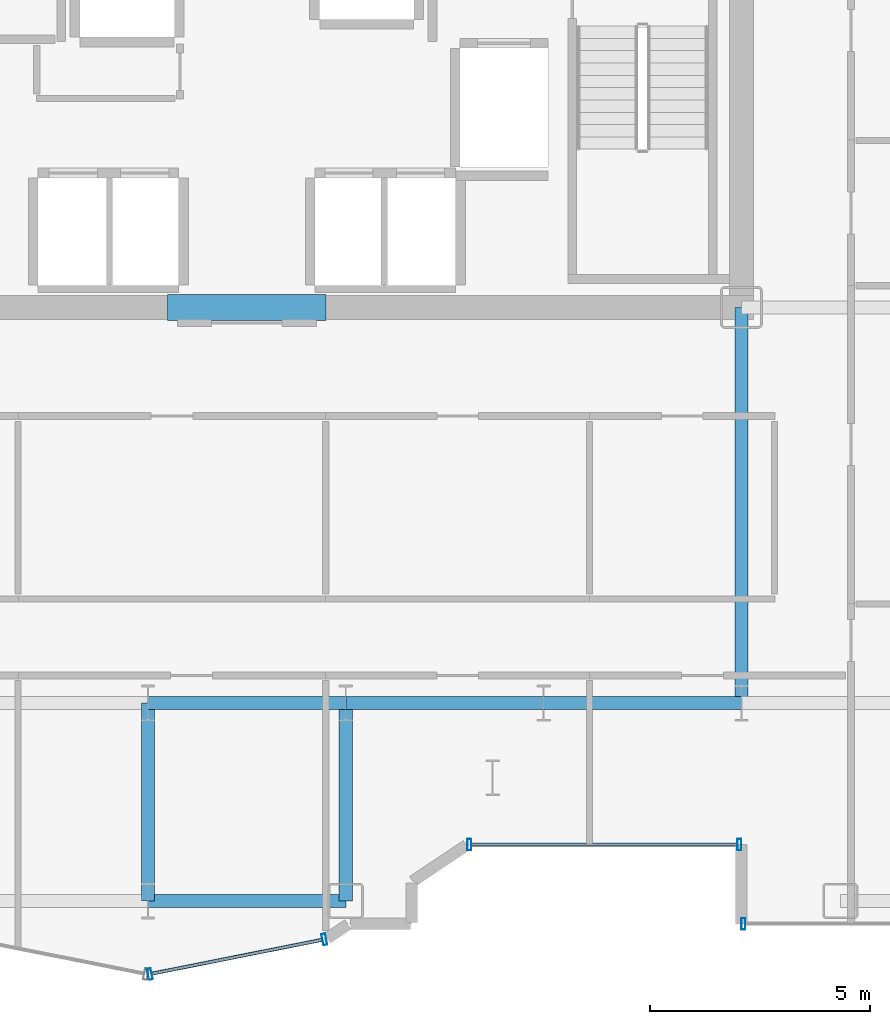
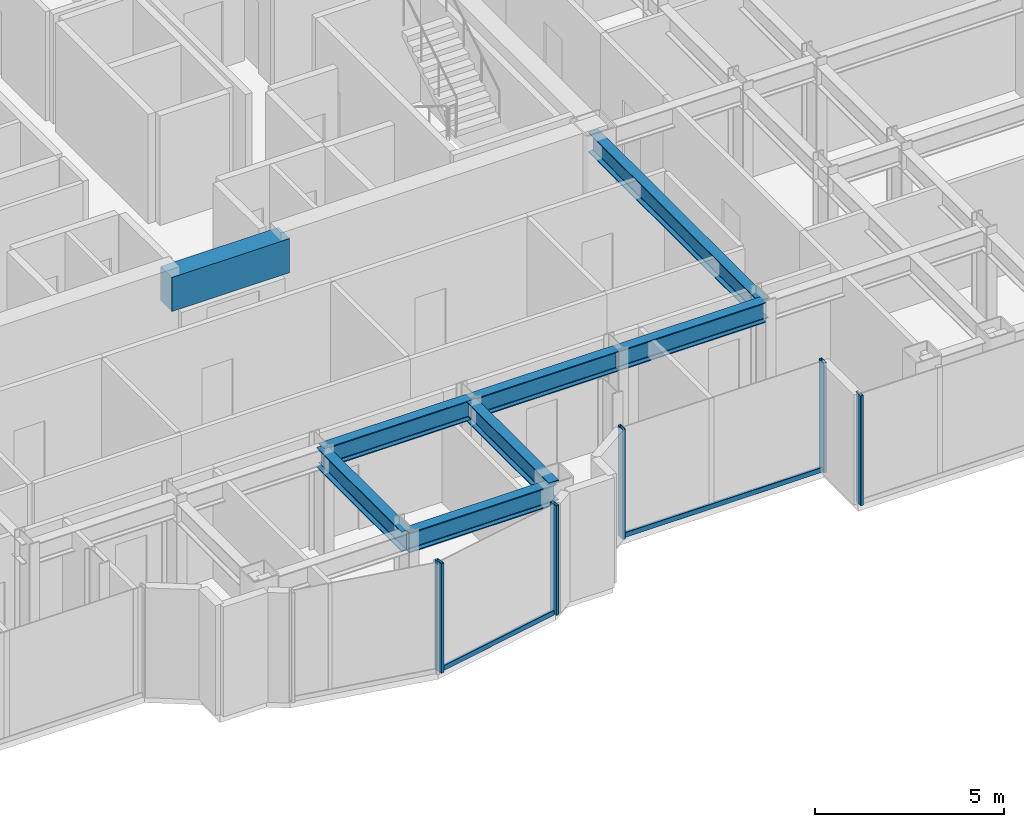
# One storey, part 7 of 23: 8 beams, 7 members, 3 elements without a shape of their own.
"""IFC4 building model written with IfcOpenShell, lengths in metres."""

from ifc_helpers import new_model, si_unit, direction, frame, origin, origin_2d, place, context, subcontext, project, spatial, rectangle, hollow_rectangle, i_section, extrude, source, transform, mapped, material, layer, layer_set, material_profile, profile_set, type_object, element, aggregate, save


model = new_model("IFC4")

# Units and contexts
model_context = context("Model", 3, precision=1e-05, world=origin(), true_north=direction((0.0, 1.0)))
body_context = subcontext(model_context, "Body", "Model", "MODEL_VIEW")
ifc_project = project(units=[si_unit("LENGTHUNIT", "METRE"), si_unit("AREAUNIT", "SQUARE_METRE"), si_unit("VOLUMEUNIT", "CUBIC_METRE"), si_unit("PLANEANGLEUNIT", "RADIAN"), si_unit("MASSUNIT", "GRAM", prefix="KILO")], contexts=[model_context])

# Site, building, storey
site_placement = place(None, origin())
site = spatial("IfcSite", under=ifc_project, at=site_placement, CompositionType="ELEMENT")
building_placement = place(site_placement, origin())
building = spatial("IfcBuilding", under=site, at=building_placement, Name="Nefas-Gora Pilgrimage Tower", CompositionType="ELEMENT")
storey_placement = place(building_placement, frame((0.0, 0.0, 175.39990234375)))
storey = spatial("IfcBuildingStorey", under=building, at=storey_placement, Name="L43", CompositionType="ELEMENT", Elevation=175.39990234375)

# Beams
ifc_material_1 = material(Name="Concrete C60/75", Category="concrete")
ifc_material_profile_1 = material_profile(ifc_material_1, rectangle(XDim=0.60009765625, YDim=1.10009765625, at=origin_2d()), Name="RC 600x1100")
ifc_profile_set_1 = profile_set([ifc_material_profile_1], Name="Concrete C60/75")
beam_type_1 = type_object("IfcBeamType", Name="BM-LIN-RC1100", PredefinedType="LINTEL", material=ifc_profile_set_1)
shared_shape_1 = source(origin(), body_context, "Body", "SweptSolid", [
    extrude(rectangle(XDim=0.60009765625, YDim=1.10009765625, at=origin_2d()), origin(), (0.0, 0.0, 1.0), 3.60009765625),
])
beam_1_placement = place(storey_placement, frame((-1.800048828125, -9.0, 3.0), z_axis=(1.0, 0.0, 0.0), x_axis=(0.0, 1.0, 0.0)))
element("IfcBeam", 1, at=beam_1_placement, inside=storey, type_object=beam_type_1, Name="L43 Core Coupling Lintel Beam S", PredefinedType="LINTEL", context=body_context, shape_type="MappedRepresentation", body=[
    mapped(shared_shape_1, transform((0.0, 0.0, 0.0), x_axis=(1.0, 0.0, 0.0), y_axis=(0.0, 1.0, 0.0), z_axis=(0.0, 0.0, 1.0), scale=1.0)),
])
ifc_material_2 = material(Name="Steel S355", Category="steel")
ifc_material_profile_2 = material_profile(ifc_material_2, i_section(OverallWidth=0.300048828125, OverallDepth=0.64990234375, WebThickness=0.01611328125, FlangeThickness=0.031005859375, FilletRadius=0.027099609375, at=origin_2d()), Name="HEB 650")
ifc_profile_set_2 = profile_set([ifc_material_profile_2], Name="Steel S355")
beam_type_2 = type_object("IfcBeamType", Name="BM-GIR-HEB650", PredefinedType="BEAM", material=ifc_profile_set_2)
shared_shape_2 = source(origin(), body_context, "Body", "SweptSolid", [
    extrude(i_section(OverallWidth=0.300048828125, OverallDepth=0.64990234375, WebThickness=0.01611328125, FlangeThickness=0.031005859375, FilletRadius=0.027099609375, at=origin_2d()), origin(), (0.0, 0.0, 1.0), 9.0),
])
beam_2_placement = place(storey_placement, frame((11.25, -18.0, 3.22509765625), z_axis=(0.0, 1.0, 0.0), x_axis=(-1.0, 0.0, 0.0)))
element("IfcBeam", 2, at=beam_2_placement, inside=storey, type_object=beam_type_2, Name="L43 G-03 beam", PredefinedType="BEAM", context=body_context, shape_type="MappedRepresentation", body=[
    mapped(shared_shape_2, transform((0.0, 0.0, 0.0), x_axis=(1.0, 0.0, 0.0), y_axis=(0.0, 1.0, 0.0), z_axis=(0.0, 0.0, 1.0), scale=1.0)),
])
shared_shape_3 = source(origin(), body_context, "Body", "SweptSolid", [
    extrude(i_section(OverallWidth=0.300048828125, OverallDepth=0.64990234375, WebThickness=0.01611328125, FlangeThickness=0.031005859375, FilletRadius=0.027099609375, at=origin_2d()), origin(), (0.0, 0.0, 1.0), 4.5),
])
for number, where, z_axis, x_axis, name in (
    (3, (-2.25, -22.5, 3.22509765625), (0.0, 1.0, 0.0), (-1.0, 0.0, 0.0), "L43 G-03 beam"),
    (4, (-2.25, -22.5, 3.22509765625), (1.0, 0.0, 0.0), (0.0, 1.0, 0.0), "L43 G-03 beam"),
    (5, (-2.25, -18.0, 3.22509765625), (1.0, 0.0, 0.0), (0.0, 1.0, 0.0), "L43 G-03 beam"),
    (6, (2.25, -22.5, 3.22509765625), (0.0, 1.0, 0.0), (-1.0, 0.0, 0.0), "L43 G-03 beam"),
    (7, (2.25, -18.0, 3.22509765625), (1.0, 0.0, 0.0), (0.0, 1.0, 0.0), "L43 G-03 beam"),
    (8, (6.75, -18.0, 3.22509765625), (1.0, 0.0, 0.0), (0.0, 1.0, 0.0), "L43 G-03 beam"),
):
    element("IfcBeam", number, at=place(storey_placement, frame(where, z_axis=z_axis, x_axis=x_axis)), inside=storey, type_object=beam_type_2, Name=name, PredefinedType="BEAM", context=body_context, shape_type="MappedRepresentation", body=[
        mapped(shared_shape_3, transform((0.0, 0.0, 0.0), x_axis=(1.0, 0.0, 0.0), y_axis=(0.0, 1.0, 0.0), z_axis=(0.0, 0.0, 1.0), scale=1.0)),
    ])

# Curtain wall, members
ifc_material_3 = material(Name="Dark ceramic-fritted solar-control aluminium-glass curtain wall", Category="aluminium")
ifc_layer_1 = layer(ifc_material_3, 0.219970703125)
ifc_layer_set_1 = layer_set([ifc_layer_1], Name="Dark ceramic-fritted solar-control aluminium-glass curtain wall")
curtain_wall_type_1 = type_object("IfcCurtainWallType", Name="CW-SYS-5", PredefinedType="NOTDEFINED", material=ifc_layer_set_1)
curtain_wall_1_placement = place(storey_placement, origin())
curtain_wall_1 = element("IfcCurtainWall", 9, at=curtain_wall_1_placement, inside=storey, type_object=curtain_wall_type_1, Name="L43 Unitised Curtain Wall CW5", PredefinedType="NOTDEFINED")
ifc_material_4 = material(Name="Anodised architectural aluminium", Category="aluminium")
ifc_material_profile_3 = material_profile(ifc_material_4, hollow_rectangle(XDim=0.090087890625, YDim=0.260009765625, WallThickness=0.006103515625, InnerFilletRadius=0.006103515625, OuterFilletRadius=0.011962890625, at=origin_2d()), Name="ALU MULLION 90x260")
ifc_profile_set_3 = profile_set([ifc_material_profile_3], Name="Anodised architectural aluminium")
member_type_1 = type_object("IfcMemberType", Name="CWM-MUL-5", PredefinedType="MULLION", material=ifc_profile_set_3)
shared_shape_4 = source(origin(), body_context, "Body", "SweptSolid", [
    extrude(hollow_rectangle(XDim=0.090087890625, YDim=0.260009765625, WallThickness=0.006103515625, InnerFilletRadius=0.006103515625, OuterFilletRadius=0.011962890625, at=origin_2d()), origin(), (0.0, 0.0, 1.0), 3.550048828125),
])
member_1_placement = place(storey_placement, frame((5.06298828125, -21.219970703125, 0.0), z_axis=(0.0, 0.0, 1.0), x_axis=(1.0, 0.0, 0.0)))
member_1 = element("IfcMember", 10, at=member_1_placement, type_object=member_type_1, Name="CW5 Mullion 1", PredefinedType="MULLION", context=body_context, shape_type="MappedRepresentation", body=[
    mapped(shared_shape_4, transform((0.0, 0.0, 0.0), x_axis=(1.0, 0.0, 0.0), y_axis=(0.0, 1.0, 0.0), z_axis=(0.0, 0.0, 1.0), scale=1.0)),
])
member_2_placement = place(storey_placement, frame((11.205078125, -21.219970703125, 0.0), z_axis=(0.0, 0.0, 1.0), x_axis=(1.0, 0.0, 0.0)))
member_2 = element("IfcMember", 11, at=member_2_placement, type_object=member_type_1, Name="CW5 Mullion 2", PredefinedType="MULLION", context=body_context, shape_type="MappedRepresentation", body=[
    mapped(shared_shape_4, transform((0.0, 0.0, 0.0), x_axis=(1.0, 0.0, 0.0), y_axis=(0.0, 1.0, 0.0), z_axis=(0.0, 0.0, 1.0), scale=1.0)),
])

curtain_wall_2_placement = place(storey_placement, origin())
curtain_wall_2 = element("IfcCurtainWall", 12, at=curtain_wall_2_placement, inside=storey, type_object=curtain_wall_type_1, Name="L43 Unitised Curtain Wall CW5", PredefinedType="NOTDEFINED")
member_3_placement = place(storey_placement, frame((-2.205810546875, -24.16357421875, 0.0), z_axis=(0.0, 0.0, 1.0), x_axis=(0.980782896852, 0.195102304554, 0.0)))
member_3 = element("IfcMember", 13, at=member_3_placement, type_object=member_type_1, Name="CW5 Mullion 1", PredefinedType="MULLION", context=body_context, shape_type="MappedRepresentation", body=[
    mapped(shared_shape_4, transform((0.0, 0.0, 0.0), x_axis=(1.0, 0.0, 0.0), y_axis=(0.0, 1.0, 0.0), z_axis=(0.0, 0.0, 1.0), scale=1.0)),
])
member_4_placement = place(storey_placement, frame((1.76318359375, -23.3740234375, 0.0), z_axis=(0.0, 0.0, 1.0), x_axis=(0.980782896852, 0.195102304554, 0.0)))
member_4 = element("IfcMember", 14, at=member_4_placement, type_object=member_type_1, Name="CW5 Mullion 2", PredefinedType="MULLION", context=body_context, shape_type="MappedRepresentation", body=[
    mapped(shared_shape_4, transform((0.0, 0.0, 0.0), x_axis=(1.0, 0.0, 0.0), y_axis=(0.0, 1.0, 0.0), z_axis=(0.0, 0.0, 1.0), scale=1.0)),
])

# Member
ifc_material_profile_4 = material_profile(ifc_material_4, hollow_rectangle(XDim=0.080078125, YDim=0.159912109375, WallThickness=0.00439453125, InnerFilletRadius=0.00439453125, OuterFilletRadius=0.009033203125, at=origin_2d()), Name="ALU TRANSOM 80x160")
ifc_profile_set_4 = profile_set([ifc_material_profile_4], Name="Anodised architectural aluminium")
member_type_2 = type_object("IfcMemberType", Name="CWM-TRN-5", PredefinedType="USERDEFINED", material=ifc_profile_set_4)
shared_shape_5 = source(origin(), body_context, "Body", "SweptSolid", [
    extrude(hollow_rectangle(XDim=0.080078125, YDim=0.159912109375, WallThickness=0.00439453125, InnerFilletRadius=0.00439453125, OuterFilletRadius=0.009033203125, at=origin_2d()), origin(), (0.0, 0.0, 1.0), 6.052001953125),
])
member_5_placement = place(storey_placement, frame((5.10791015625, -21.219970703125, 0.050048828125), z_axis=(1.0, 0.0, 0.0), x_axis=(0.0, 1.0, 0.0)))
member_5 = element("IfcMember", 15, at=member_5_placement, type_object=member_type_2, Name="CW5 Spandrel Transom", ObjectType="TRANSOM", PredefinedType="USERDEFINED", context=body_context, shape_type="MappedRepresentation", body=[
    mapped(shared_shape_5, transform((0.0, 0.0, 0.0), x_axis=(1.0, 0.0, 0.0), y_axis=(0.0, 1.0, 0.0), z_axis=(0.0, 0.0, 1.0), scale=1.0)),
])

aggregate(curtain_wall_1, [member_1, member_2, member_5])

shared_shape_6 = source(origin(), body_context, "Body", "SweptSolid", [
    extrude(hollow_rectangle(XDim=0.080078125, YDim=0.159912109375, WallThickness=0.00439453125, InnerFilletRadius=0.00439453125, OuterFilletRadius=0.009033203125, at=origin_2d()), origin(), (0.0, 0.0, 1.0), 3.95654296875),
])
member_6_placement = place(storey_placement, frame((-2.16162109375, -24.15478515625, 0.050048828125), z_axis=(0.980781880918, 0.195107411605, 0.0), x_axis=(-0.195107411605, 0.980781880918, 0.0)))
member_6 = element("IfcMember", 16, at=member_6_placement, type_object=member_type_2, Name="CW5 Spandrel Transom", ObjectType="TRANSOM", PredefinedType="USERDEFINED", context=body_context, shape_type="MappedRepresentation", body=[
    mapped(shared_shape_6, transform((0.0, 0.0, 0.0), x_axis=(1.0, 0.0, 0.0), y_axis=(0.0, 1.0, 0.0), z_axis=(0.0, 0.0, 1.0), scale=1.0)),
])

aggregate(curtain_wall_2, [member_3, member_4, member_6])

# Curtain wall, member
ifc_layer_2 = layer(ifc_material_3, 0.219970703125)
ifc_layer_set_2 = layer_set([ifc_layer_2], Name="Dark ceramic-fritted solar-control aluminium-glass curtain wall")
curtain_wall_type_2 = type_object("IfcCurtainWallType", Name="CW-SYS-3", PredefinedType="NOTDEFINED", material=ifc_layer_set_2)
curtain_wall_3_placement = place(storey_placement, origin())
curtain_wall_3 = element("IfcCurtainWall", 17, at=curtain_wall_3_placement, inside=storey, type_object=curtain_wall_type_2, Name="L43 Unitised Curtain Wall CW3", PredefinedType="NOTDEFINED")
ifc_material_profile_5 = material_profile(ifc_material_4, hollow_rectangle(XDim=0.090087890625, YDim=0.260009765625, WallThickness=0.006103515625, InnerFilletRadius=0.006103515625, OuterFilletRadius=0.011962890625, at=origin_2d()), Name="ALU MULLION 90x260")
ifc_profile_set_5 = profile_set([ifc_material_profile_5], Name="Anodised architectural aluminium")
member_type_3 = type_object("IfcMemberType", Name="CWM-MUL-3", PredefinedType="MULLION", material=ifc_profile_set_5)
shared_shape_7 = source(origin(), body_context, "Body", "SweptSolid", [
    extrude(hollow_rectangle(XDim=0.090087890625, YDim=0.260009765625, WallThickness=0.006103515625, InnerFilletRadius=0.006103515625, OuterFilletRadius=0.011962890625, at=origin_2d()), origin(), (0.0, 0.0, 1.0), 3.550048828125),
])
member_7_placement = place(storey_placement, frame((11.294921875, -23.02001953125, 0.0), z_axis=(0.0, 0.0, 1.0), x_axis=(1.0, 0.0, 0.0)))
member_7 = element("IfcMember", 18, at=member_7_placement, type_object=member_type_3, Name="CW3 Mullion 1", PredefinedType="MULLION", context=body_context, shape_type="MappedRepresentation", body=[
    mapped(shared_shape_7, transform((0.0, 0.0, 0.0), x_axis=(1.0, 0.0, 0.0), y_axis=(0.0, 1.0, 0.0), z_axis=(0.0, 0.0, 1.0), scale=1.0)),
])
aggregate(curtain_wall_3, [member_7])

save(model, "model.ifc")
